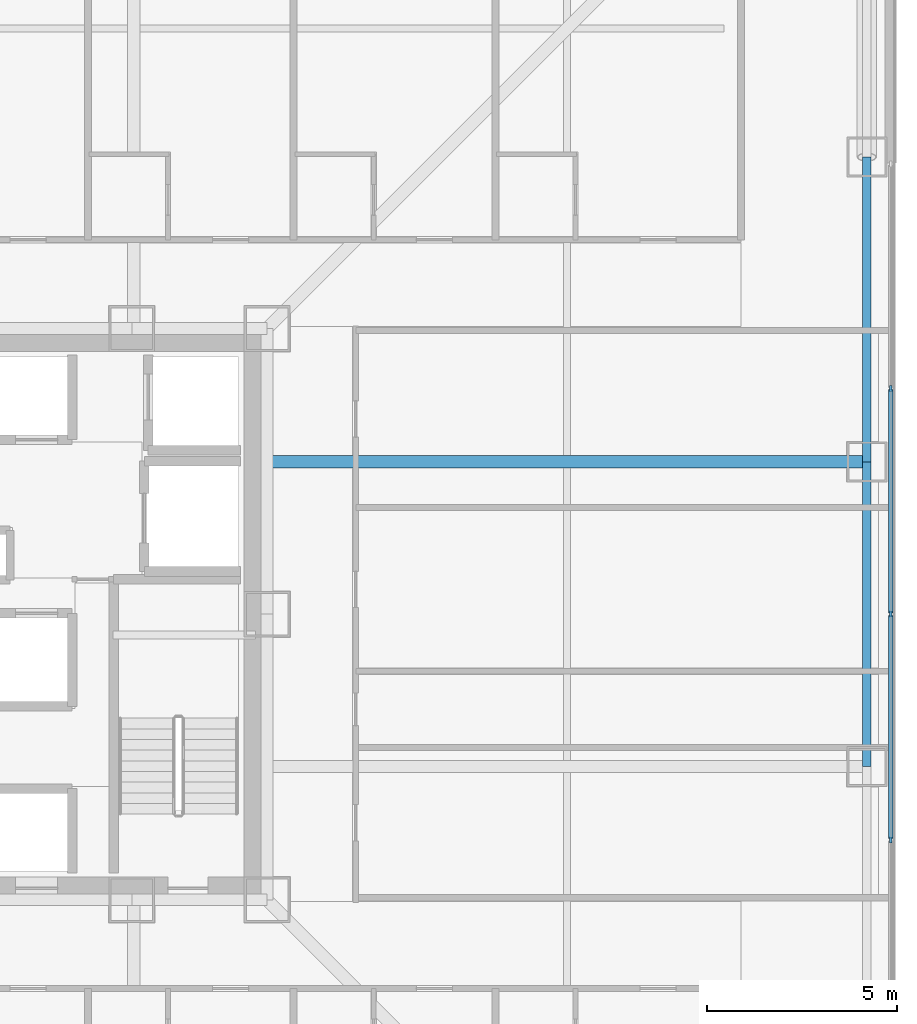
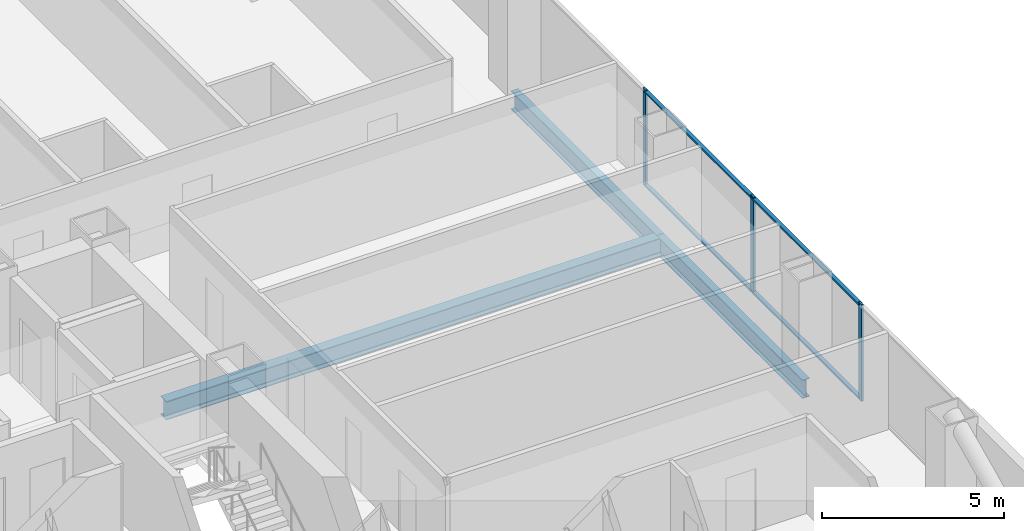
# One storey, part 11 of 23: 7 members, 3 beams, 1 element without a shape of its own.
"""IFC4 building model written with IfcOpenShell, lengths in metres."""

from ifc_helpers import new_model, si_unit, direction, frame, origin, origin_2d, place, context, subcontext, project, spatial, rectangle, i_section, extrude, material, layer, layer_set, material_profile, profile_set, type_object, element, aggregate, save


model = new_model("IFC4")

# Units and contexts
model_context = context("Model", 3, precision=1e-05, world=origin(), true_north=direction((0.0, 1.0)))
body_context = subcontext(model_context, "Body", "Model", "MODEL_VIEW")
ifc_project = project(units=[si_unit("LENGTHUNIT", "METRE"), si_unit("AREAUNIT", "SQUARE_METRE"), si_unit("VOLUMEUNIT", "CUBIC_METRE"), si_unit("PLANEANGLEUNIT", "RADIAN"), si_unit("MASSUNIT", "GRAM", prefix="KILO")], contexts=[model_context])

# Site, building, storey
site_placement = place(None, origin())
site = spatial("IfcSite", under=ifc_project, at=site_placement, CompositionType="ELEMENT")
building_placement = place(site_placement, origin())
building = spatial("IfcBuilding", under=site, at=building_placement, Name="Trevonay Congress Spire", CompositionType="ELEMENT")
storey_placement = place(building_placement, frame((0.0, 0.0, 34.0)))
storey = spatial("IfcBuildingStorey", under=building, at=storey_placement, Name="L07", CompositionType="ELEMENT", Elevation=34.0)

# Beams
ifc_material_1 = material(Name="Steel ASTM A572 Grade 50", Category="steel")
ifc_material_profile_1 = material_profile(ifc_material_1, i_section(OverallWidth=0.324951171875, OverallDepth=0.615966796875, WebThickness=0.013916015625, FlangeThickness=0.021484375, FilletRadius=0.01806640625, at=origin_2d()), Name="W610x174")
ifc_profile_set_1 = profile_set([ifc_material_profile_1], Name="Steel ASTM A572 Grade 50")
beam_type_1 = type_object("IfcBeamType", Name="BM-GIRD-W610X174", PredefinedType="BEAM", material=ifc_profile_set_1)
beam_placement = place(storey_placement, frame((7.5, 4.0, -0.55810546875), z_axis=(1.0, 0.0, 0.0), x_axis=(0.0, 1.0, 0.0)))
element("IfcBeam", 1, at=beam_placement, inside=storey, type_object=beam_type_1, Name="L07 structural beam BM-L07-GE-P", PredefinedType="BEAM", context=body_context, shape_type="SweptSolid", body=[
    extrude(i_section(OverallWidth=0.324951171875, OverallDepth=0.615966796875, WebThickness=0.013916015625, FlangeThickness=0.021484375, FilletRadius=0.01806640625, at=origin_2d()), origin(), (0.0, 0.0, 1.0), 15.75),
])
ifc_material_profile_2 = material_profile(ifc_material_1, i_section(OverallWidth=0.22998046875, OverallDepth=0.616943359375, WebThickness=0.01318359375, FlangeThickness=0.022216796875, FilletRadius=0.01611328125, at=origin_2d()), Name="W610x140")
ifc_profile_set_2 = profile_set([ifc_material_profile_2], Name="Steel ASTM A572 Grade 50")
beam_type_2 = type_object("IfcBeamType", Name="BM-RING-W610X140", PredefinedType="BEAM", material=ifc_profile_set_2)
for number, where, z_axis, x_axis, name in (
    (2, (23.25, -4.0, -0.55859375), (0.0, 1.0, 0.0), (-1.0, 0.0, 0.0), "L07 structural beam BM-L07-PE3"),
    (3, (23.25, 4.0, -0.55859375), (0.0, 1.0, 0.0), (-1.0, 0.0, 0.0), "L07 structural beam BM-L07-PE4"),
):
    element("IfcBeam", number, at=place(storey_placement, frame(where, z_axis=z_axis, x_axis=x_axis)), inside=storey, type_object=beam_type_2, Name=name, PredefinedType="BEAM", context=body_context, shape_type="SweptSolid", body=[
        extrude(i_section(OverallWidth=0.22998046875, OverallDepth=0.616943359375, WebThickness=0.01318359375, FlangeThickness=0.022216796875, FilletRadius=0.01611328125, at=origin_2d()), origin(), (0.0, 0.0, 1.0), 8.0),
    ])

# Curtain wall, members
ifc_material_2 = material(Name="Pale Anodised Aluminium EN AW-6063-T6", Category="aluminium")
ifc_layer = layer(ifc_material_2, 0.179931640625, Name="Pale Anodised Aluminium EN AW-6063-T6")
ifc_layer_set = layer_set([ifc_layer], Name="Pale Anodised Aluminium EN AW-6063-T6")
curtain_wall_type = type_object("IfcCurtainWallType", Name="CW-SYS02-HOTEL-PALE-METAL", PredefinedType="NOTDEFINED", material=ifc_layer_set)
curtain_wall_placement = place(storey_placement, origin())
curtain_wall = element("IfcCurtainWall", 4, at=curtain_wall_placement, inside=storey, type_object=curtain_wall_type, Name="L07 E unitised curtain wall", PredefinedType="NOTDEFINED")
ifc_material_profile_3 = material_profile(ifc_material_2, rectangle(XDim=0.06005859375, YDim=0.159912109375, at=origin_2d()), Name="CW-MULLION-160-ALUMINIUM")
ifc_profile_set_3 = profile_set([ifc_material_profile_3], Name="Pale Anodised Aluminium EN AW-6063-T6")
member_type_1 = type_object("IfcMemberType", Name="CW-MULLION-160-ALUMINIUM", PredefinedType="MULLION", material=ifc_profile_set_3)
member_1_placement = place(storey_placement, frame((23.8798828125, -5.925048828125, 0.0), z_axis=(0.0, 0.0, 1.0), x_axis=(-1.0, 0.0, 0.0)))
member_1 = element("IfcMember", 5, at=member_1_placement, type_object=member_type_1, Name="CW02 mullion 2", PredefinedType="MULLION", context=body_context, shape_type="SweptSolid", body=[
    extrude(rectangle(XDim=0.06005859375, YDim=0.159912109375, at=origin_2d()), origin(), (0.0, 0.0, 1.0), 3.25),
])
member_2_placement = place(storey_placement, frame((23.8798828125, 0.0, 0.0), z_axis=(0.0, 0.0, 1.0), x_axis=(-1.0, 0.0, 0.0)))
member_2 = element("IfcMember", 6, at=member_2_placement, type_object=member_type_1, Name="CW02 mullion 3", PredefinedType="MULLION", context=body_context, shape_type="SweptSolid", body=[
    extrude(rectangle(XDim=0.06005859375, YDim=0.159912109375, at=origin_2d()), origin(), (0.0, 0.0, 1.0), 3.25),
])
member_3_placement = place(storey_placement, frame((23.8798828125, 5.925048828125, 0.0), z_axis=(0.0, 0.0, 1.0), x_axis=(-1.0, 0.0, 0.0)))
member_3 = element("IfcMember", 7, at=member_3_placement, type_object=member_type_1, Name="CW02 mullion 4", PredefinedType="MULLION", context=body_context, shape_type="SweptSolid", body=[
    extrude(rectangle(XDim=0.06005859375, YDim=0.159912109375, at=origin_2d()), origin(), (0.0, 0.0, 1.0), 3.25),
])
ifc_material_profile_4 = material_profile(ifc_material_2, rectangle(XDim=0.1201171875, YDim=0.06005859375, at=origin_2d()), Name="CW-TRANSOM-120-ALUMINIUM")
ifc_profile_set_4 = profile_set([ifc_material_profile_4], Name="Pale Anodised Aluminium EN AW-6063-T6")
member_type_2 = type_object("IfcMemberType", Name="CW-TRANSOM-120-ALUMINIUM", PredefinedType="USERDEFINED", material=ifc_profile_set_4)
member_4_placement = place(storey_placement, frame((23.8798828125, -5.89501953125, 0.06005859375), z_axis=(0.0, 1.0, 0.0), x_axis=(-1.0, 0.0, 0.0)))
member_4 = element("IfcMember", 8, at=member_4_placement, type_object=member_type_2, Name="CW02 transom 2.1", ObjectType="TRANSOM", PredefinedType="USERDEFINED", context=body_context, shape_type="SweptSolid", body=[
    extrude(rectangle(XDim=0.1201171875, YDim=0.06005859375, at=origin_2d()), origin(), (0.0, 0.0, 1.0), 5.864990234375),
])
member_5_placement = place(storey_placement, frame((23.8798828125, -5.89501953125, 3.18994140625), z_axis=(0.0, 1.0, 0.0), x_axis=(-1.0, 0.0, 0.0)))
member_5 = element("IfcMember", 9, at=member_5_placement, type_object=member_type_2, Name="CW02 transom 2.2", ObjectType="TRANSOM", PredefinedType="USERDEFINED", context=body_context, shape_type="SweptSolid", body=[
    extrude(rectangle(XDim=0.1201171875, YDim=0.06005859375, at=origin_2d()), origin(), (0.0, 0.0, 1.0), 5.864990234375),
])
member_6_placement = place(storey_placement, frame((23.8798828125, 0.030029296875, 0.06005859375), z_axis=(0.0, 1.0, 0.0), x_axis=(-1.0, 0.0, 0.0)))
member_6 = element("IfcMember", 10, at=member_6_placement, type_object=member_type_2, Name="CW02 transom 3.1", ObjectType="TRANSOM", PredefinedType="USERDEFINED", context=body_context, shape_type="SweptSolid", body=[
    extrude(rectangle(XDim=0.1201171875, YDim=0.06005859375, at=origin_2d()), origin(), (0.0, 0.0, 1.0), 5.864990234375),
])
member_7_placement = place(storey_placement, frame((23.8798828125, 0.030029296875, 3.18994140625), z_axis=(0.0, 1.0, 0.0), x_axis=(-1.0, 0.0, 0.0)))
member_7 = element("IfcMember", 11, at=member_7_placement, type_object=member_type_2, Name="CW02 transom 3.2", ObjectType="TRANSOM", PredefinedType="USERDEFINED", context=body_context, shape_type="SweptSolid", body=[
    extrude(rectangle(XDim=0.1201171875, YDim=0.06005859375, at=origin_2d()), origin(), (0.0, 0.0, 1.0), 5.864990234375),
])
aggregate(curtain_wall, [member_1, member_2, member_3, member_4, member_5, member_6, member_7])

save(model, "model.ifc")
